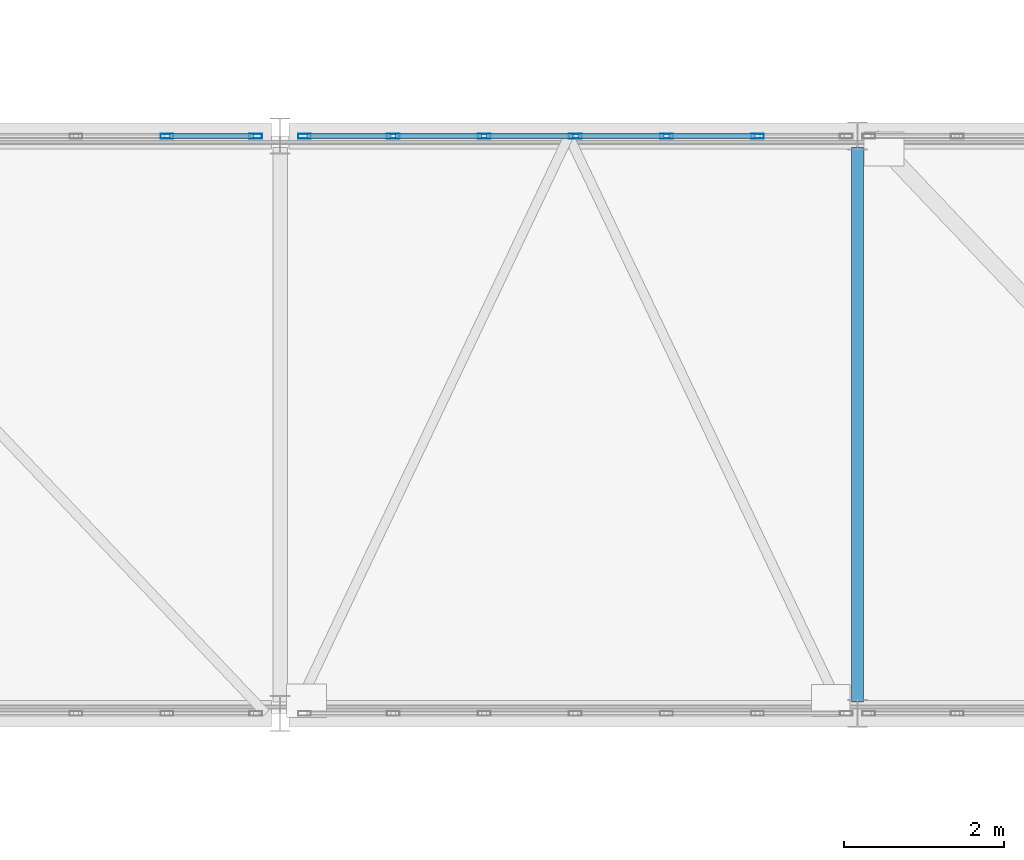
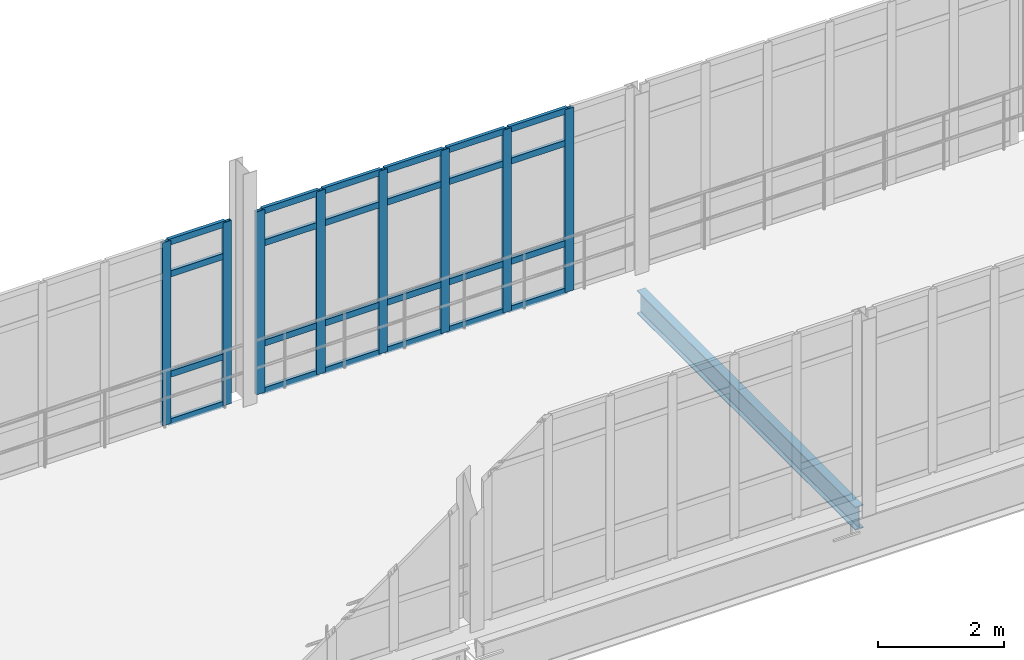
# One storey, part 46 of 124: 32 members, 1 beam, 2 elements without a shape of their own.
"""IFC4 building model written with IfcOpenShell, lengths in metres."""

from ifc_helpers import new_model, si_unit, direction, frame, origin, origin_2d, place, context, subcontext, project, spatial, hollow_rectangle, i_section, extrude, material, material_profile, profile_set, type_object, element, aggregate, save


model = new_model("IFC4")

# Units and contexts
model_context = context("Model", 3, precision=1e-05, world=origin(), true_north=direction((0.0, 1.0)))
body_context = subcontext(model_context, "Body", "Model", "MODEL_VIEW")
ifc_project = project(units=[si_unit("LENGTHUNIT", "METRE"), si_unit("AREAUNIT", "SQUARE_METRE"), si_unit("VOLUMEUNIT", "CUBIC_METRE"), si_unit("PLANEANGLEUNIT", "RADIAN"), si_unit("MASSUNIT", "GRAM", prefix="KILO")], contexts=[model_context])

# Site, building, storey
site_placement = place(None, origin())
site = spatial("IfcSite", under=ifc_project, at=site_placement, CompositionType="ELEMENT")
building_placement = place(site_placement, origin())
building = spatial("IfcBuilding", under=site, at=building_placement, Name="Kalluvel Institute of Natural Sciences", CompositionType="ELEMENT")
storey_placement = place(building_placement, frame((0.0, 0.0, 9.89990234375)))
storey = spatial("IfcBuildingStorey", under=building, at=storey_placement, Name="L02", CompositionType="ELEMENT", Elevation=9.89990234375)

# Beam
ifc_material_1 = material(Name="Steel E350 Grade 350", Category="steel")
ifc_material_profile_1 = material_profile(ifc_material_1, i_section(OverallWidth=0.14990234375, OverallDepth=0.449951171875, WebThickness=0.009521484375, FlangeThickness=0.017333984375, FilletRadius=0.014892578125, at=origin_2d()), Name="ISMB 450")
ifc_profile_set_1 = profile_set([ifc_material_profile_1], Name="Steel E350 Grade 350")
beam_type = type_object("IfcBeamType", Name="BM-ISMB450", PredefinedType="BEAM", material=ifc_profile_set_1)
beam_placement = place(storey_placement, frame((86.0, 28.5400390625, -0.544921875), z_axis=(0.0, 1.0, 0.0), x_axis=(-1.0, 0.0, 0.0)))
element("IfcBeam", 1, at=beam_placement, inside=storey, type_object=beam_type, Name="L02 link bridge cross girder 61", PredefinedType="BEAM", context=body_context, shape_type="SweptSolid", body=[
    extrude(i_section(OverallWidth=0.14990234375, OverallDepth=0.449951171875, WebThickness=0.009521484375, FlangeThickness=0.017333984375, FilletRadius=0.014892578125, at=origin_2d()), origin(), (0.0, 0.0, 1.0), 6.919921875),
])

# Curtain wall, members
ifc_material_2 = material(Name="Aluminium AW-6063 T6", Category="aluminium")
curtain_wall_type = type_object("IfcCurtainWallType", Name="CW-BRG-45", PredefinedType="USERDEFINED", material=ifc_material_2)
curtain_wall_1_placement = place(storey_placement, origin())
curtain_wall_1 = element("IfcCurtainWall", 2, at=curtain_wall_1_placement, inside=storey, type_object=curtain_wall_type, Name="L02 Gothic lancet curtain wall CWA-L02-X717-Y356", ObjectType="UNITISED LANCET FACADE", PredefinedType="USERDEFINED")
ifc_material_profile_2 = material_profile(ifc_material_2, hollow_rectangle(XDim=0.06005859375, YDim=0.159912109375, WallThickness=0.00390625, at=origin_2d()), Name="CWM 60x160")
ifc_profile_set_2 = profile_set([ifc_material_profile_2], Name="Aluminium AW-6063 T6")
member_type_1 = type_object("IfcMemberType", Name="CWM-60x160", PredefinedType="MULLION", material=ifc_profile_set_2)
member_1_placement = place(storey_placement, frame((77.38916015625, 35.60009765625, 0.0), z_axis=(0.0, 0.0, 1.0), x_axis=(0.0, 1.0, 0.0)))
member_1 = element("IfcMember", 3, at=member_1_placement, type_object=member_type_1, Name="CW-07 mullion 6", PredefinedType="MULLION", context=body_context, shape_type="SweptSolid", body=[
    extrude(hollow_rectangle(XDim=0.06005859375, YDim=0.159912109375, WallThickness=0.00390625, at=origin_2d()), origin(), (0.0, 0.0, 1.0), 3.5400390625),
])
member_2_placement = place(storey_placement, frame((78.4951171875, 35.60009765625, 0.0), z_axis=(0.0, 0.0, 1.0), x_axis=(0.0, 1.0, 0.0)))
member_2 = element("IfcMember", 4, at=member_2_placement, type_object=member_type_1, Name="CW-07 mullion 7", PredefinedType="MULLION", context=body_context, shape_type="SweptSolid", body=[
    extrude(hollow_rectangle(XDim=0.06005859375, YDim=0.159912109375, WallThickness=0.00390625, at=origin_2d()), origin(), (0.0, 0.0, 1.0), 3.5400390625),
])

curtain_wall_2_placement = place(storey_placement, origin())
curtain_wall_2 = element("IfcCurtainWall", 5, at=curtain_wall_2_placement, inside=storey, type_object=curtain_wall_type, Name="L02 Gothic lancet curtain wall CWA-L02-X791-Y356", ObjectType="UNITISED LANCET FACADE", PredefinedType="USERDEFINED")
member_3_placement = place(storey_placement, frame((79.10498046875, 35.60009765625, 0.0), z_axis=(0.0, 0.0, 1.0), x_axis=(0.0, 1.0, 0.0)))
member_3 = element("IfcMember", 6, at=member_3_placement, type_object=member_type_1, Name="CW-07 mullion 1", PredefinedType="MULLION", context=body_context, shape_type="SweptSolid", body=[
    extrude(hollow_rectangle(XDim=0.06005859375, YDim=0.159912109375, WallThickness=0.00390625, at=origin_2d()), origin(), (0.0, 0.0, 1.0), 3.5400390625),
])
member_4_placement = place(storey_placement, frame((80.2109375, 35.60009765625, 0.0), z_axis=(0.0, 0.0, 1.0), x_axis=(0.0, 1.0, 0.0)))
member_4 = element("IfcMember", 7, at=member_4_placement, type_object=member_type_1, Name="CW-07 mullion 2", PredefinedType="MULLION", context=body_context, shape_type="SweptSolid", body=[
    extrude(hollow_rectangle(XDim=0.06005859375, YDim=0.159912109375, WallThickness=0.00390625, at=origin_2d()), origin(), (0.0, 0.0, 1.0), 3.5400390625),
])
member_5_placement = place(storey_placement, frame((81.3466796875, 35.60009765625, 0.0), z_axis=(0.0, 0.0, 1.0), x_axis=(0.0, 1.0, 0.0)))
member_5 = element("IfcMember", 8, at=member_5_placement, type_object=member_type_1, Name="CW-07 mullion 3", PredefinedType="MULLION", context=body_context, shape_type="SweptSolid", body=[
    extrude(hollow_rectangle(XDim=0.06005859375, YDim=0.159912109375, WallThickness=0.00390625, at=origin_2d()), origin(), (0.0, 0.0, 1.0), 3.5400390625),
])
member_6_placement = place(storey_placement, frame((82.482421875, 35.60009765625, 0.0), z_axis=(0.0, 0.0, 1.0), x_axis=(0.0, 1.0, 0.0)))
member_6 = element("IfcMember", 9, at=member_6_placement, type_object=member_type_1, Name="CW-07 mullion 4", PredefinedType="MULLION", context=body_context, shape_type="SweptSolid", body=[
    extrude(hollow_rectangle(XDim=0.06005859375, YDim=0.159912109375, WallThickness=0.00390625, at=origin_2d()), origin(), (0.0, 0.0, 1.0), 3.5400390625),
])
member_7_placement = place(storey_placement, frame((83.618408203125, 35.60009765625, 0.0), z_axis=(0.0, 0.0, 1.0), x_axis=(0.0, 1.0, 0.0)))
member_7 = element("IfcMember", 10, at=member_7_placement, type_object=member_type_1, Name="CW-07 mullion 5", PredefinedType="MULLION", context=body_context, shape_type="SweptSolid", body=[
    extrude(hollow_rectangle(XDim=0.06005859375, YDim=0.159912109375, WallThickness=0.00390625, at=origin_2d()), origin(), (0.0, 0.0, 1.0), 3.5400390625),
])
member_8_placement = place(storey_placement, frame((84.754150390625, 35.60009765625, 0.0), z_axis=(0.0, 0.0, 1.0), x_axis=(0.0, 1.0, 0.0)))
member_8 = element("IfcMember", 11, at=member_8_placement, type_object=member_type_1, Name="CW-07 mullion 6", PredefinedType="MULLION", context=body_context, shape_type="SweptSolid", body=[
    extrude(hollow_rectangle(XDim=0.06005859375, YDim=0.159912109375, WallThickness=0.00390625, at=origin_2d()), origin(), (0.0, 0.0, 1.0), 3.5400390625),
])

# Member
ifc_material_profile_3 = material_profile(ifc_material_2, hollow_rectangle(XDim=0.06005859375, YDim=0.1201171875, WallThickness=0.00390625, at=origin_2d()), Name="CWT 60x120")
ifc_profile_set_3 = profile_set([ifc_material_profile_3], Name="Aluminium AW-6063 T6")
member_type_2 = type_object("IfcMemberType", Name="CWT-60x120", PredefinedType="USERDEFINED", material=ifc_profile_set_3)
member_9_placement = place(storey_placement, frame((77.419189453125, 35.60009765625, 0.030029296875), z_axis=(1.0, 0.0, 0.0), x_axis=(0.0, 1.0, 0.0)))
member_9 = element("IfcMember", 12, at=member_9_placement, type_object=member_type_2, Name="CW-07 transom 6.1", ObjectType="TRANSOM", PredefinedType="USERDEFINED", context=body_context, shape_type="SweptSolid", body=[
    extrude(hollow_rectangle(XDim=0.06005859375, YDim=0.1201171875, WallThickness=0.00390625, at=origin_2d()), origin(), (0.0, 0.0, 1.0), 1.0458984375),
])

member_10_placement = place(storey_placement, frame((77.419189453125, 35.60009765625, 0.9501953125), z_axis=(1.0, 0.0, 0.0), x_axis=(0.0, 1.0, 0.0)))
member_10 = element("IfcMember", 13, at=member_10_placement, type_object=member_type_2, Name="CW-07 transom 6.2", ObjectType="TRANSOM", PredefinedType="USERDEFINED", context=body_context, shape_type="SweptSolid", body=[
    extrude(hollow_rectangle(XDim=0.06005859375, YDim=0.1201171875, WallThickness=0.00390625, at=origin_2d()), origin(), (0.0, 0.0, 1.0), 1.0458984375),
])

member_11_placement = place(storey_placement, frame((77.419189453125, 35.60009765625, 2.89013671875), z_axis=(1.0, 0.0, 0.0), x_axis=(0.0, 1.0, 0.0)))
member_11 = element("IfcMember", 14, at=member_11_placement, type_object=member_type_2, Name="CW-07 transom 6.3", ObjectType="TRANSOM", PredefinedType="USERDEFINED", context=body_context, shape_type="SweptSolid", body=[
    extrude(hollow_rectangle(XDim=0.06005859375, YDim=0.1201171875, WallThickness=0.00390625, at=origin_2d()), origin(), (0.0, 0.0, 1.0), 1.0458984375),
])

member_12_placement = place(storey_placement, frame((77.419189453125, 35.60009765625, 3.510009765625), z_axis=(1.0, 0.0, 0.0), x_axis=(0.0, 1.0, 0.0)))
member_12 = element("IfcMember", 15, at=member_12_placement, type_object=member_type_2, Name="CW-07 transom 6.4", ObjectType="TRANSOM", PredefinedType="USERDEFINED", context=body_context, shape_type="SweptSolid", body=[
    extrude(hollow_rectangle(XDim=0.06005859375, YDim=0.1201171875, WallThickness=0.00390625, at=origin_2d()), origin(), (0.0, 0.0, 1.0), 1.0458984375),
])

aggregate(curtain_wall_1, [member_1, member_2, member_9, member_10, member_11, member_12])

member_13_placement = place(storey_placement, frame((79.135009765625, 35.60009765625, 0.030029296875), z_axis=(1.0, 0.0, 0.0), x_axis=(0.0, 1.0, 0.0)))
member_13 = element("IfcMember", 16, at=member_13_placement, type_object=member_type_2, Name="CW-07 transom 1.1", ObjectType="TRANSOM", PredefinedType="USERDEFINED", context=body_context, shape_type="SweptSolid", body=[
    extrude(hollow_rectangle(XDim=0.06005859375, YDim=0.1201171875, WallThickness=0.00390625, at=origin_2d()), origin(), (0.0, 0.0, 1.0), 1.0458984375),
])

member_14_placement = place(storey_placement, frame((79.135009765625, 35.60009765625, 0.9501953125), z_axis=(1.0, 0.0, 0.0), x_axis=(0.0, 1.0, 0.0)))
member_14 = element("IfcMember", 17, at=member_14_placement, type_object=member_type_2, Name="CW-07 transom 1.2", ObjectType="TRANSOM", PredefinedType="USERDEFINED", context=body_context, shape_type="SweptSolid", body=[
    extrude(hollow_rectangle(XDim=0.06005859375, YDim=0.1201171875, WallThickness=0.00390625, at=origin_2d()), origin(), (0.0, 0.0, 1.0), 1.0458984375),
])

member_15_placement = place(storey_placement, frame((79.135009765625, 35.60009765625, 2.89013671875), z_axis=(1.0, 0.0, 0.0), x_axis=(0.0, 1.0, 0.0)))
member_15 = element("IfcMember", 18, at=member_15_placement, type_object=member_type_2, Name="CW-07 transom 1.3", ObjectType="TRANSOM", PredefinedType="USERDEFINED", context=body_context, shape_type="SweptSolid", body=[
    extrude(hollow_rectangle(XDim=0.06005859375, YDim=0.1201171875, WallThickness=0.00390625, at=origin_2d()), origin(), (0.0, 0.0, 1.0), 1.0458984375),
])

member_16_placement = place(storey_placement, frame((79.135009765625, 35.60009765625, 3.510009765625), z_axis=(1.0, 0.0, 0.0), x_axis=(0.0, 1.0, 0.0)))
member_16 = element("IfcMember", 19, at=member_16_placement, type_object=member_type_2, Name="CW-07 transom 1.4", ObjectType="TRANSOM", PredefinedType="USERDEFINED", context=body_context, shape_type="SweptSolid", body=[
    extrude(hollow_rectangle(XDim=0.06005859375, YDim=0.1201171875, WallThickness=0.00390625, at=origin_2d()), origin(), (0.0, 0.0, 1.0), 1.0458984375),
])

member_17_placement = place(storey_placement, frame((80.24072265625, 35.60009765625, 0.030029296875), z_axis=(1.0, 0.0, 0.0), x_axis=(0.0, 1.0, 0.0)))
member_17 = element("IfcMember", 20, at=member_17_placement, type_object=member_type_2, Name="CW-07 transom 2.1", ObjectType="TRANSOM", PredefinedType="USERDEFINED", context=body_context, shape_type="SweptSolid", body=[
    extrude(hollow_rectangle(XDim=0.06005859375, YDim=0.1201171875, WallThickness=0.00390625, at=origin_2d()), origin(), (0.0, 0.0, 1.0), 1.075927734375),
])

member_18_placement = place(storey_placement, frame((80.24072265625, 35.60009765625, 0.9501953125), z_axis=(1.0, 0.0, 0.0), x_axis=(0.0, 1.0, 0.0)))
member_18 = element("IfcMember", 21, at=member_18_placement, type_object=member_type_2, Name="CW-07 transom 2.2", ObjectType="TRANSOM", PredefinedType="USERDEFINED", context=body_context, shape_type="SweptSolid", body=[
    extrude(hollow_rectangle(XDim=0.06005859375, YDim=0.1201171875, WallThickness=0.00390625, at=origin_2d()), origin(), (0.0, 0.0, 1.0), 1.075927734375),
])

member_19_placement = place(storey_placement, frame((80.24072265625, 35.60009765625, 2.89013671875), z_axis=(1.0, 0.0, 0.0), x_axis=(0.0, 1.0, 0.0)))
member_19 = element("IfcMember", 22, at=member_19_placement, type_object=member_type_2, Name="CW-07 transom 2.3", ObjectType="TRANSOM", PredefinedType="USERDEFINED", context=body_context, shape_type="SweptSolid", body=[
    extrude(hollow_rectangle(XDim=0.06005859375, YDim=0.1201171875, WallThickness=0.00390625, at=origin_2d()), origin(), (0.0, 0.0, 1.0), 1.075927734375),
])

member_20_placement = place(storey_placement, frame((80.24072265625, 35.60009765625, 3.510009765625), z_axis=(1.0, 0.0, 0.0), x_axis=(0.0, 1.0, 0.0)))
member_20 = element("IfcMember", 23, at=member_20_placement, type_object=member_type_2, Name="CW-07 transom 2.4", ObjectType="TRANSOM", PredefinedType="USERDEFINED", context=body_context, shape_type="SweptSolid", body=[
    extrude(hollow_rectangle(XDim=0.06005859375, YDim=0.1201171875, WallThickness=0.00390625, at=origin_2d()), origin(), (0.0, 0.0, 1.0), 1.075927734375),
])

member_21_placement = place(storey_placement, frame((81.376708984375, 35.60009765625, 0.030029296875), z_axis=(1.0, 0.0, 0.0), x_axis=(0.0, 1.0, 0.0)))
member_21 = element("IfcMember", 24, at=member_21_placement, type_object=member_type_2, Name="CW-07 transom 3.1", ObjectType="TRANSOM", PredefinedType="USERDEFINED", context=body_context, shape_type="SweptSolid", body=[
    extrude(hollow_rectangle(XDim=0.06005859375, YDim=0.1201171875, WallThickness=0.00390625, at=origin_2d()), origin(), (0.0, 0.0, 1.0), 1.07568359375),
])

member_22_placement = place(storey_placement, frame((81.376708984375, 35.60009765625, 0.9501953125), z_axis=(1.0, 0.0, 0.0), x_axis=(0.0, 1.0, 0.0)))
member_22 = element("IfcMember", 25, at=member_22_placement, type_object=member_type_2, Name="CW-07 transom 3.2", ObjectType="TRANSOM", PredefinedType="USERDEFINED", context=body_context, shape_type="SweptSolid", body=[
    extrude(hollow_rectangle(XDim=0.06005859375, YDim=0.1201171875, WallThickness=0.00390625, at=origin_2d()), origin(), (0.0, 0.0, 1.0), 1.07568359375),
])

member_23_placement = place(storey_placement, frame((81.376708984375, 35.60009765625, 2.89013671875), z_axis=(1.0, 0.0, 0.0), x_axis=(0.0, 1.0, 0.0)))
member_23 = element("IfcMember", 26, at=member_23_placement, type_object=member_type_2, Name="CW-07 transom 3.3", ObjectType="TRANSOM", PredefinedType="USERDEFINED", context=body_context, shape_type="SweptSolid", body=[
    extrude(hollow_rectangle(XDim=0.06005859375, YDim=0.1201171875, WallThickness=0.00390625, at=origin_2d()), origin(), (0.0, 0.0, 1.0), 1.07568359375),
])

member_24_placement = place(storey_placement, frame((81.376708984375, 35.60009765625, 3.510009765625), z_axis=(1.0, 0.0, 0.0), x_axis=(0.0, 1.0, 0.0)))
member_24 = element("IfcMember", 27, at=member_24_placement, type_object=member_type_2, Name="CW-07 transom 3.4", ObjectType="TRANSOM", PredefinedType="USERDEFINED", context=body_context, shape_type="SweptSolid", body=[
    extrude(hollow_rectangle(XDim=0.06005859375, YDim=0.1201171875, WallThickness=0.00390625, at=origin_2d()), origin(), (0.0, 0.0, 1.0), 1.07568359375),
])

member_25_placement = place(storey_placement, frame((82.512451171875, 35.60009765625, 0.030029296875), z_axis=(1.0, 0.0, 0.0), x_axis=(0.0, 1.0, 0.0)))
member_25 = element("IfcMember", 28, at=member_25_placement, type_object=member_type_2, Name="CW-07 transom 4.1", ObjectType="TRANSOM", PredefinedType="USERDEFINED", context=body_context, shape_type="SweptSolid", body=[
    extrude(hollow_rectangle(XDim=0.06005859375, YDim=0.1201171875, WallThickness=0.00390625, at=origin_2d()), origin(), (0.0, 0.0, 1.0), 1.075927734375),
])

member_26_placement = place(storey_placement, frame((82.512451171875, 35.60009765625, 0.9501953125), z_axis=(1.0, 0.0, 0.0), x_axis=(0.0, 1.0, 0.0)))
member_26 = element("IfcMember", 29, at=member_26_placement, type_object=member_type_2, Name="CW-07 transom 4.2", ObjectType="TRANSOM", PredefinedType="USERDEFINED", context=body_context, shape_type="SweptSolid", body=[
    extrude(hollow_rectangle(XDim=0.06005859375, YDim=0.1201171875, WallThickness=0.00390625, at=origin_2d()), origin(), (0.0, 0.0, 1.0), 1.075927734375),
])

member_27_placement = place(storey_placement, frame((82.512451171875, 35.60009765625, 2.89013671875), z_axis=(1.0, 0.0, 0.0), x_axis=(0.0, 1.0, 0.0)))
member_27 = element("IfcMember", 30, at=member_27_placement, type_object=member_type_2, Name="CW-07 transom 4.3", ObjectType="TRANSOM", PredefinedType="USERDEFINED", context=body_context, shape_type="SweptSolid", body=[
    extrude(hollow_rectangle(XDim=0.06005859375, YDim=0.1201171875, WallThickness=0.00390625, at=origin_2d()), origin(), (0.0, 0.0, 1.0), 1.075927734375),
])

member_28_placement = place(storey_placement, frame((82.512451171875, 35.60009765625, 3.510009765625), z_axis=(1.0, 0.0, 0.0), x_axis=(0.0, 1.0, 0.0)))
member_28 = element("IfcMember", 31, at=member_28_placement, type_object=member_type_2, Name="CW-07 transom 4.4", ObjectType="TRANSOM", PredefinedType="USERDEFINED", context=body_context, shape_type="SweptSolid", body=[
    extrude(hollow_rectangle(XDim=0.06005859375, YDim=0.1201171875, WallThickness=0.00390625, at=origin_2d()), origin(), (0.0, 0.0, 1.0), 1.075927734375),
])

member_29_placement = place(storey_placement, frame((83.6484375, 35.60009765625, 0.030029296875), z_axis=(1.0, 0.0, 0.0), x_axis=(0.0, 1.0, 0.0)))
member_29 = element("IfcMember", 32, at=member_29_placement, type_object=member_type_2, Name="CW-07 transom 5.1", ObjectType="TRANSOM", PredefinedType="USERDEFINED", context=body_context, shape_type="SweptSolid", body=[
    extrude(hollow_rectangle(XDim=0.06005859375, YDim=0.1201171875, WallThickness=0.00390625, at=origin_2d()), origin(), (0.0, 0.0, 1.0), 1.07568359375),
])

member_30_placement = place(storey_placement, frame((83.6484375, 35.60009765625, 0.9501953125), z_axis=(1.0, 0.0, 0.0), x_axis=(0.0, 1.0, 0.0)))
member_30 = element("IfcMember", 33, at=member_30_placement, type_object=member_type_2, Name="CW-07 transom 5.2", ObjectType="TRANSOM", PredefinedType="USERDEFINED", context=body_context, shape_type="SweptSolid", body=[
    extrude(hollow_rectangle(XDim=0.06005859375, YDim=0.1201171875, WallThickness=0.00390625, at=origin_2d()), origin(), (0.0, 0.0, 1.0), 1.07568359375),
])

member_31_placement = place(storey_placement, frame((83.6484375, 35.60009765625, 2.89013671875), z_axis=(1.0, 0.0, 0.0), x_axis=(0.0, 1.0, 0.0)))
member_31 = element("IfcMember", 34, at=member_31_placement, type_object=member_type_2, Name="CW-07 transom 5.3", ObjectType="TRANSOM", PredefinedType="USERDEFINED", context=body_context, shape_type="SweptSolid", body=[
    extrude(hollow_rectangle(XDim=0.06005859375, YDim=0.1201171875, WallThickness=0.00390625, at=origin_2d()), origin(), (0.0, 0.0, 1.0), 1.07568359375),
])

member_32_placement = place(storey_placement, frame((83.6484375, 35.60009765625, 3.510009765625), z_axis=(1.0, 0.0, 0.0), x_axis=(0.0, 1.0, 0.0)))
member_32 = element("IfcMember", 35, at=member_32_placement, type_object=member_type_2, Name="CW-07 transom 5.4", ObjectType="TRANSOM", PredefinedType="USERDEFINED", context=body_context, shape_type="SweptSolid", body=[
    extrude(hollow_rectangle(XDim=0.06005859375, YDim=0.1201171875, WallThickness=0.00390625, at=origin_2d()), origin(), (0.0, 0.0, 1.0), 1.07568359375),
])

aggregate(curtain_wall_2, [member_3, member_4, member_5, member_6, member_7, member_8, member_13, member_14, member_15, member_16, member_17, member_18, member_19, member_20, member_21, member_22, member_23, member_24, member_25, member_26, member_27, member_28, member_29, member_30, member_31, member_32])

save(model, "model.ifc")
